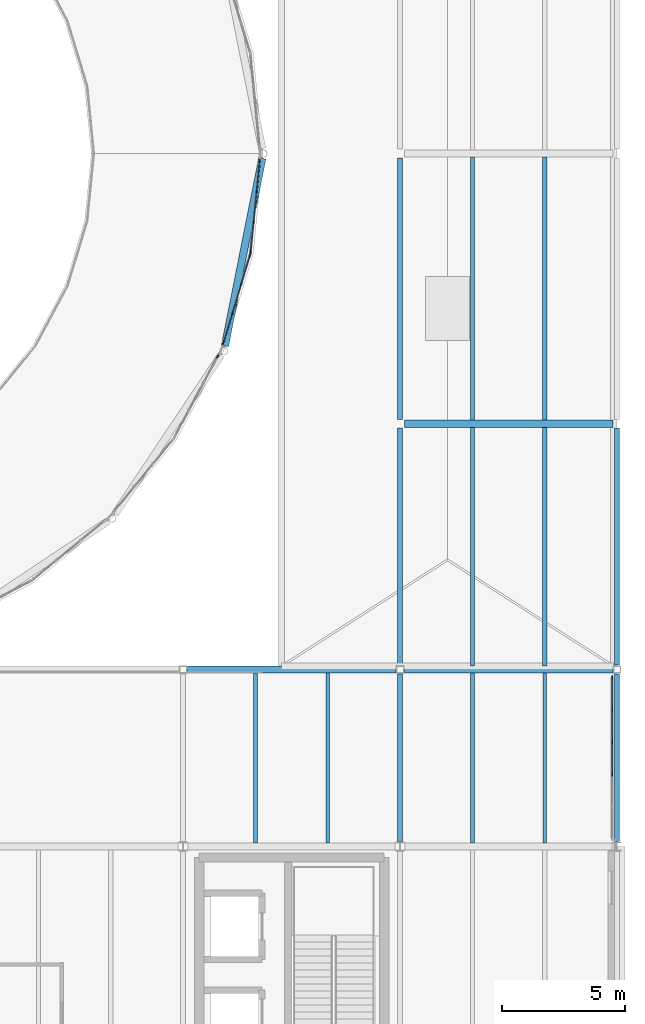
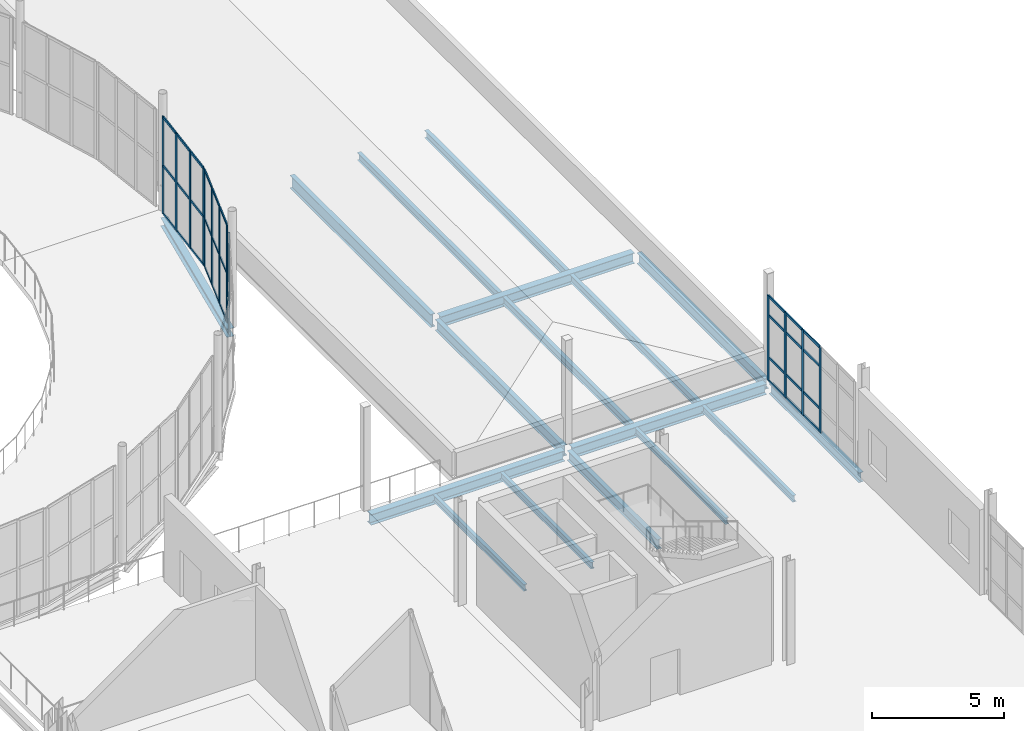
# One storey, part 64 of 112: 43 members, 17 beams, 4 elements without a shape of their own.
"""IFC4 building model written with IfcOpenShell, lengths in metres."""

from ifc_helpers import new_model, si_unit, direction, frame, origin, origin_2d, place, context, subcontext, project, spatial, rectangle, i_section, extrude, material, layer, layer_set, material_profile, profile_set, type_object, element, aggregate, save


model = new_model("IFC4")

# Units and contexts
model_context = context("Model", 3, precision=1e-05, world=origin(), true_north=direction((0.0, 1.0)))
body_context = subcontext(model_context, "Body", "Model", "MODEL_VIEW")
ifc_project = project(units=[si_unit("LENGTHUNIT", "METRE"), si_unit("AREAUNIT", "SQUARE_METRE"), si_unit("VOLUMEUNIT", "CUBIC_METRE"), si_unit("PLANEANGLEUNIT", "RADIAN"), si_unit("MASSUNIT", "GRAM", prefix="KILO")], contexts=[model_context])

# Site, building, storey
site_placement = place(None, origin())
site = spatial("IfcSite", under=ifc_project, at=site_placement, CompositionType="ELEMENT")
building_placement = place(site_placement, origin())
building = spatial("IfcBuilding", under=site, at=building_placement, Name="Yeouljin Market Hall", CompositionType="ELEMENT")
storey_placement = place(building_placement, frame((0.0, 0.0, 6.0)))
storey = spatial("IfcBuildingStorey", under=building, at=storey_placement, Name="L01", CompositionType="ELEMENT", Elevation=6.0)

# Beams
ifc_material_1 = material(Name="Steel SM355", Category="steel")
ifc_material_profile_1 = material_profile(ifc_material_1, i_section(OverallWidth=0.300048828125, OverallDepth=0.389892578125, WebThickness=0.010009765625, FlangeThickness=0.01611328125, FilletRadius=0.01806640625, at=origin_2d()), Name="H-390x300x10x16")
ifc_profile_set_1 = profile_set([ifc_material_profile_1], Name="Steel SM355")
beam_type_1 = type_object("IfcBeamType", Name="Beam_H-390x300x10x16", PredefinedType="BEAM", material=ifc_profile_set_1)
beam_1_placement = place(storey_placement, frame((160.441162109375, 49.162841796875, -0.43994140625), z_axis=(0.195091123781, 0.980785120922, 0.0), x_axis=(-0.980785120922, 0.195091123781, 0.0)))
element("IfcBeam", 1, at=beam_1_placement, inside=storey, type_object=beam_type_1, Name="Apse ring beam L01 253", PredefinedType="BEAM", context=body_context, shape_type="SweptSolid", body=[
    extrude(i_section(OverallWidth=0.300048828125, OverallDepth=0.389892578125, WebThickness=0.010009765625, FlangeThickness=0.01611328125, FilletRadius=0.01806640625, at=origin_2d()), origin(), (0.0, 0.0, 1.0), 7.78759765625),
])
ifc_material_2 = material(Name="Steel SM355", Category="steel")
ifc_material_profile_2 = material_profile(ifc_material_2, i_section(OverallWidth=0.199951171875, OverallDepth=0.449951171875, WebThickness=0.009033203125, FlangeThickness=0.013916015625, FilletRadius=0.01806640625, at=origin_2d()), Name="H-450x200x9x14")
ifc_profile_set_2 = profile_set([ifc_material_profile_2], Name="Steel SM355")
beam_type_2 = type_object("IfcBeamType", Name="Beam_H-450x200x9x14", PredefinedType="BEAM", material=ifc_profile_set_2)
for number, where, z_axis, x_axis, name in (
    (2, (167.570068359375, 29.0, -0.489990234375), (0.0, 1.0, 0.0), (-1.0, 0.0, 0.0), "Primary beam BM-L01-Y229"),
    (3, (176.39990234375, 29.0, -0.489990234375), (0.0, 1.0, 0.0), (-1.0, 0.0, 0.0), "Primary beam BM-L01-Y237"),
):
    element("IfcBeam", number, at=place(storey_placement, frame(where, z_axis=z_axis, x_axis=x_axis)), inside=storey, type_object=beam_type_2, Name=name, PredefinedType="BEAM", context=body_context, shape_type="SweptSolid", body=[
        extrude(i_section(OverallWidth=0.199951171875, OverallDepth=0.449951171875, WebThickness=0.009033203125, FlangeThickness=0.013916015625, FilletRadius=0.01806640625, at=origin_2d()), origin(), (0.0, 0.0, 1.0), 6.824951171875),
    ])
ifc_material_3 = material(Name="Steel SM355", Category="steel")
ifc_material_profile_3 = material_profile(ifc_material_3, i_section(OverallWidth=0.199951171875, OverallDepth=0.5, WebThickness=0.010009765625, FlangeThickness=0.01611328125, FilletRadius=0.02001953125, at=origin_2d()), Name="H-500x200x10x16")
ifc_profile_set_3 = profile_set([ifc_material_profile_3], Name="Steel SM355")
beam_type_3 = type_object("IfcBeamType", Name="Beam_H-500x200x10x16", PredefinedType="BEAM", material=ifc_profile_set_3)
for number, where, z_axis, x_axis, name in (
    (4, (167.570068359375, 36.175048828125, -0.514892578125), (0.0, 1.0, 0.0), (-1.0, 0.0, 0.0), "Primary beam BM-L01-Y230"),
    (5, (176.39990234375, 36.175048828125, -0.514892578125), (0.0, 1.0, 0.0), (-1.0, 0.0, 0.0), "Primary beam BM-L01-Y238"),
):
    element("IfcBeam", number, at=place(storey_placement, frame(where, z_axis=z_axis, x_axis=x_axis)), inside=storey, type_object=beam_type_3, Name=name, PredefinedType="BEAM", context=body_context, shape_type="SweptSolid", body=[
        extrude(i_section(OverallWidth=0.199951171875, OverallDepth=0.5, WebThickness=0.010009765625, FlangeThickness=0.01611328125, FilletRadius=0.02001953125, at=origin_2d()), origin(), (0.0, 0.0, 1.0), 9.64990234375),
    ])
ifc_material_4 = material(Name="Steel SM355", Category="steel")
ifc_material_profile_4 = material_profile(ifc_material_4, i_section(OverallWidth=0.199951171875, OverallDepth=0.60009765625, WebThickness=0.010986328125, FlangeThickness=0.01708984375, FilletRadius=0.02197265625, at=origin_2d()), Name="H-600x200x11x17")
ifc_profile_set_4 = profile_set([ifc_material_profile_4], Name="Steel SM355")
beam_type_4 = type_object("IfcBeamType", Name="Beam_H-600x200x11x17", PredefinedType="BEAM", material=ifc_profile_set_4)
beam_2_placement = place(storey_placement, frame((167.570068359375, 46.175048828125, -0.56494140625), z_axis=(0.0, 1.0, 0.0), x_axis=(-1.0, 0.0, 0.0)))
element("IfcBeam", 6, at=beam_2_placement, inside=storey, type_object=beam_type_4, Name="Primary beam BM-L01-Y231", PredefinedType="BEAM", context=body_context, shape_type="SweptSolid", body=[
    extrude(i_section(OverallWidth=0.199951171875, OverallDepth=0.60009765625, WebThickness=0.010986328125, FlangeThickness=0.01708984375, FilletRadius=0.02197265625, at=origin_2d()), origin(), (0.0, 0.0, 1.0), 10.64990234375),
])

# Curtain wall, member
ifc_material_5 = material(Name="Thermally Broken Aluminium", Category="aluminium")
ifc_layer_1 = layer(ifc_material_5, 0.179931640625)
ifc_layer_set_1 = layer_set([ifc_layer_1], Name="Thermally Broken Aluminium")
curtain_wall_type_1 = type_object("IfcCurtainWallType", Name="CW_ApseCurved_System", PredefinedType="USERDEFINED", material=ifc_layer_set_1)
curtain_wall_1_placement = place(storey_placement, origin())
curtain_wall_1 = element("IfcCurtainWall", 7, at=curtain_wall_1_placement, inside=storey, type_object=curtain_wall_type_1, Name="Curtain wall CW-AP-EL01-06", ObjectType="CURTAIN WALL", PredefinedType="USERDEFINED")
ifc_material_6 = material(Name="Thermally Broken Aluminium", Category="aluminium")
ifc_material_profile_5 = material_profile(ifc_material_6, rectangle(XDim=0.048095703125, YDim=0.14990234375, at=origin_2d()), Name="CW-MULL-48x150")
ifc_profile_set_5 = profile_set([ifc_material_profile_5], Name="Thermally Broken Aluminium")
member_type_1 = type_object("IfcMemberType", Name="CWMullion_48x150", PredefinedType="MULLION", material=ifc_profile_set_5)
member_1_placement = place(storey_placement, frame((160.147216796875, 48.741455078125, 0.0), z_axis=(0.0, 0.0, 1.0), x_axis=(0.881931478712, -0.471377626598, 0.0)))
member_1 = element("IfcMember", 8, at=member_1_placement, type_object=member_type_1, Name="CW-03 mullion 1", PredefinedType="MULLION", context=body_context, shape_type="SweptSolid", body=[
    extrude(rectangle(XDim=0.048095703125, YDim=0.14990234375, at=origin_2d()), origin(), (0.0, 0.0, 1.0), 4.5),
])
aggregate(curtain_wall_1, [member_1])

# Curtain wall, members
curtain_wall_2_placement = place(storey_placement, origin())
curtain_wall_2 = element("IfcCurtainWall", 9, at=curtain_wall_2_placement, inside=storey, type_object=curtain_wall_type_1, Name="Curtain wall CW-AP-EL01-07", ObjectType="CURTAIN WALL", PredefinedType="USERDEFINED")
member_2_placement = place(storey_placement, frame((161.460205078125, 52.865234375, 0.0), z_axis=(0.0, 0.0, 1.0), x_axis=(0.95693988447, -0.290286164863, 0.0)))
member_2 = element("IfcMember", 10, at=member_2_placement, type_object=member_type_1, Name="CW-03 mullion 1", PredefinedType="MULLION", context=body_context, shape_type="SweptSolid", body=[
    extrude(rectangle(XDim=0.048095703125, YDim=0.14990234375, at=origin_2d()), origin(), (0.0, 0.0, 1.0), 4.5),
])
member_3_placement = place(storey_placement, frame((161.10205078125, 51.6845703125, 0.0), z_axis=(0.0, 0.0, 1.0), x_axis=(0.95693988447, -0.290286164863, 0.0)))
member_3 = element("IfcMember", 11, at=member_3_placement, type_object=member_type_1, Name="CW-03 mullion 2", PredefinedType="MULLION", context=body_context, shape_type="SweptSolid", body=[
    extrude(rectangle(XDim=0.048095703125, YDim=0.14990234375, at=origin_2d()), origin(), (0.0, 0.0, 1.0), 4.5),
])
member_4_placement = place(storey_placement, frame((160.737060546875, 50.48095703125, 0.0), z_axis=(0.0, 0.0, 1.0), x_axis=(0.95693988447, -0.290286164863, 0.0)))
member_4 = element("IfcMember", 12, at=member_4_placement, type_object=member_type_1, Name="CW-03 mullion 3", PredefinedType="MULLION", context=body_context, shape_type="SweptSolid", body=[
    extrude(rectangle(XDim=0.048095703125, YDim=0.14990234375, at=origin_2d()), origin(), (0.0, 0.0, 1.0), 4.5),
])
member_5_placement = place(storey_placement, frame((160.37890625, 49.300537109375, 0.0), z_axis=(0.0, 0.0, 1.0), x_axis=(0.95693988447, -0.290286164863, 0.0)))
member_5 = element("IfcMember", 13, at=member_5_placement, type_object=member_type_1, Name="CW-03 mullion 4", PredefinedType="MULLION", context=body_context, shape_type="SweptSolid", body=[
    extrude(rectangle(XDim=0.048095703125, YDim=0.14990234375, at=origin_2d()), origin(), (0.0, 0.0, 1.0), 4.5),
])

curtain_wall_3_placement = place(storey_placement, origin())
curtain_wall_3 = element("IfcCurtainWall", 14, at=curtain_wall_3_placement, inside=storey, type_object=curtain_wall_type_1, Name="Curtain wall CW-AP-EL01-08", ObjectType="CURTAIN WALL", PredefinedType="USERDEFINED")
member_6_placement = place(storey_placement, frame((161.850341796875, 56.697509765625, 0.0), z_axis=(0.0, 0.0, 1.0), x_axis=(0.995183051807, -0.09803414403, 0.0)))
member_6 = element("IfcMember", 15, at=member_6_placement, type_object=member_type_1, Name="CW-03 mullion 1", PredefinedType="MULLION", context=body_context, shape_type="SweptSolid", body=[
    extrude(rectangle(XDim=0.048095703125, YDim=0.14990234375, at=origin_2d()), origin(), (0.0, 0.0, 1.0), 4.5),
])
member_7_placement = place(storey_placement, frame((161.729248046875, 55.4697265625, 0.0), z_axis=(0.0, 0.0, 1.0), x_axis=(0.995183051807, -0.09803414403, 0.0)))
member_7 = element("IfcMember", 16, at=member_7_placement, type_object=member_type_1, Name="CW-03 mullion 2", PredefinedType="MULLION", context=body_context, shape_type="SweptSolid", body=[
    extrude(rectangle(XDim=0.048095703125, YDim=0.14990234375, at=origin_2d()), origin(), (0.0, 0.0, 1.0), 4.5),
])
member_8_placement = place(storey_placement, frame((161.60595703125, 54.218017578125, 0.0), z_axis=(0.0, 0.0, 1.0), x_axis=(0.995183051807, -0.09803414403, 0.0)))
member_8 = element("IfcMember", 17, at=member_8_placement, type_object=member_type_1, Name="CW-03 mullion 3", PredefinedType="MULLION", context=body_context, shape_type="SweptSolid", body=[
    extrude(rectangle(XDim=0.048095703125, YDim=0.14990234375, at=origin_2d()), origin(), (0.0, 0.0, 1.0), 4.5),
])
member_9_placement = place(storey_placement, frame((161.485107421875, 52.990234375, 0.0), z_axis=(0.0, 0.0, 1.0), x_axis=(0.995183051807, -0.09803414403, 0.0)))
member_9 = element("IfcMember", 18, at=member_9_placement, type_object=member_type_1, Name="CW-03 mullion 4", PredefinedType="MULLION", context=body_context, shape_type="SweptSolid", body=[
    extrude(rectangle(XDim=0.048095703125, YDim=0.14990234375, at=origin_2d()), origin(), (0.0, 0.0, 1.0), 4.5),
])

ifc_material_7 = material(Name="Thermally Broken Aluminium", Category="aluminium")
ifc_layer_2 = layer(ifc_material_7, 0.14990234375)
ifc_layer_set_2 = layer_set([ifc_layer_2], Name="Thermally Broken Aluminium")
curtain_wall_type_2 = type_object("IfcCurtainWallType", Name="CW_AcademyRibbon_System", PredefinedType="USERDEFINED", material=ifc_layer_set_2)
curtain_wall_4_placement = place(storey_placement, origin())
curtain_wall_4 = element("IfcCurtainWall", 19, at=curtain_wall_4_placement, inside=storey, type_object=curtain_wall_type_2, Name="Curtain wall CW-L01-W13", ObjectType="CURTAIN WALL", PredefinedType="USERDEFINED")
member_10_placement = place(storey_placement, frame((176.199951171875, 35.676025390625, 0.0), z_axis=(0.0, 0.0, 1.0), x_axis=(1.0, 0.0, 0.0)))
member_10 = element("IfcMember", 20, at=member_10_placement, type_object=member_type_1, Name="CW-05 mullion 1", PredefinedType="MULLION", context=body_context, shape_type="SweptSolid", body=[
    extrude(rectangle(XDim=0.048095703125, YDim=0.14990234375, at=origin_2d()), origin(), (0.0, 0.0, 1.0), 3.949951171875),
])
member_11_placement = place(storey_placement, frame((176.199951171875, 34.3798828125, 0.0), z_axis=(0.0, 0.0, 1.0), x_axis=(1.0, 0.0, 0.0)))
member_11 = element("IfcMember", 21, at=member_11_placement, type_object=member_type_1, Name="CW-05 mullion 2", PredefinedType="MULLION", context=body_context, shape_type="SweptSolid", body=[
    extrude(rectangle(XDim=0.048095703125, YDim=0.14990234375, at=origin_2d()), origin(), (0.0, 0.0, 1.0), 3.949951171875),
])
member_12_placement = place(storey_placement, frame((176.199951171875, 33.06005859375, 0.0), z_axis=(0.0, 0.0, 1.0), x_axis=(1.0, 0.0, 0.0)))
member_12 = element("IfcMember", 22, at=member_12_placement, type_object=member_type_1, Name="CW-05 mullion 3", PredefinedType="MULLION", context=body_context, shape_type="SweptSolid", body=[
    extrude(rectangle(XDim=0.048095703125, YDim=0.14990234375, at=origin_2d()), origin(), (0.0, 0.0, 1.0), 3.949951171875),
])
member_13_placement = place(storey_placement, frame((176.199951171875, 31.739990234375, 0.0), z_axis=(0.0, 0.0, 1.0), x_axis=(1.0, 0.0, 0.0)))
member_13 = element("IfcMember", 23, at=member_13_placement, type_object=member_type_1, Name="CW-05 mullion 4", PredefinedType="MULLION", context=body_context, shape_type="SweptSolid", body=[
    extrude(rectangle(XDim=0.048095703125, YDim=0.14990234375, at=origin_2d()), origin(), (0.0, 0.0, 1.0), 3.949951171875),
])

# Member
ifc_material_8 = material(Name="Thermally Broken Aluminium", Category="aluminium")
ifc_material_profile_6 = material_profile(ifc_material_8, rectangle(XDim=0.048095703125, YDim=0.1201171875, at=origin_2d()), Name="CW-TRAN-48x120")
ifc_profile_set_6 = profile_set([ifc_material_profile_6], Name="Thermally Broken Aluminium")
member_type_2 = type_object("IfcMemberType", Name="CWTransom_48x120", PredefinedType="USERDEFINED", material=ifc_profile_set_6)
member_14_placement = place(storey_placement, frame((161.453369140625, 52.84228515625, 0.02392578125), z_axis=(-0.290293088565, -0.956937784149, 0.0), x_axis=(0.956937784149, -0.290293088565, 0.0)))
member_14 = element("IfcMember", 24, at=member_14_placement, type_object=member_type_2, Name="CW-03 transom 1.1", ObjectType="TRANSOM", PredefinedType="USERDEFINED", context=body_context, shape_type="SweptSolid", body=[
    extrude(rectangle(XDim=0.048095703125, YDim=0.1201171875, at=origin_2d()), origin(), (0.0, 0.0, 1.0), 1.185791015625),
])

member_15_placement = place(storey_placement, frame((161.453369140625, 52.84228515625, 2.25), z_axis=(-0.290293088565, -0.956937784149, 0.0), x_axis=(0.956937784149, -0.290293088565, 0.0)))
member_15 = element("IfcMember", 25, at=member_15_placement, type_object=member_type_2, Name="CW-03 transom 1.2", ObjectType="TRANSOM", PredefinedType="USERDEFINED", context=body_context, shape_type="SweptSolid", body=[
    extrude(rectangle(XDim=0.048095703125, YDim=0.1201171875, at=origin_2d()), origin(), (0.0, 0.0, 1.0), 1.185791015625),
])

member_16_placement = place(storey_placement, frame((161.453369140625, 52.84228515625, 4.47607421875), z_axis=(-0.290293088565, -0.956937784149, 0.0), x_axis=(0.956937784149, -0.290293088565, 0.0)))
member_16 = element("IfcMember", 26, at=member_16_placement, type_object=member_type_2, Name="CW-03 transom 1.3", ObjectType="TRANSOM", PredefinedType="USERDEFINED", context=body_context, shape_type="SweptSolid", body=[
    extrude(rectangle(XDim=0.048095703125, YDim=0.1201171875, at=origin_2d()), origin(), (0.0, 0.0, 1.0), 1.185791015625),
])

member_17_placement = place(storey_placement, frame((161.09521484375, 51.66162109375, 0.02392578125), z_axis=(-0.29043870262, -0.956893599111, 0.0), x_axis=(0.956893599111, -0.29043870262, 0.0)))
member_17 = element("IfcMember", 27, at=member_17_placement, type_object=member_type_2, Name="CW-03 transom 2.1", ObjectType="TRANSOM", PredefinedType="USERDEFINED", context=body_context, shape_type="SweptSolid", body=[
    extrude(rectangle(XDim=0.048095703125, YDim=0.1201171875, at=origin_2d()), origin(), (0.0, 0.0, 1.0), 1.209716796875),
])

member_18_placement = place(storey_placement, frame((161.09521484375, 51.66162109375, 2.25), z_axis=(-0.29043870262, -0.956893599111, 0.0), x_axis=(0.956893599111, -0.29043870262, 0.0)))
member_18 = element("IfcMember", 28, at=member_18_placement, type_object=member_type_2, Name="CW-03 transom 2.2", ObjectType="TRANSOM", PredefinedType="USERDEFINED", context=body_context, shape_type="SweptSolid", body=[
    extrude(rectangle(XDim=0.048095703125, YDim=0.1201171875, at=origin_2d()), origin(), (0.0, 0.0, 1.0), 1.209716796875),
])

member_19_placement = place(storey_placement, frame((161.09521484375, 51.66162109375, 4.47607421875), z_axis=(-0.29043870262, -0.956893599111, 0.0), x_axis=(0.956893599111, -0.29043870262, 0.0)))
member_19 = element("IfcMember", 29, at=member_19_placement, type_object=member_type_2, Name="CW-03 transom 2.3", ObjectType="TRANSOM", PredefinedType="USERDEFINED", context=body_context, shape_type="SweptSolid", body=[
    extrude(rectangle(XDim=0.048095703125, YDim=0.1201171875, at=origin_2d()), origin(), (0.0, 0.0, 1.0), 1.209716796875),
])

member_20_placement = place(storey_placement, frame((160.72998046875, 50.4580078125, 0.02392578125), z_axis=(-0.290350291671, -0.95692042936, 0.0), x_axis=(0.95692042936, -0.290350291671, 0.0)))
member_20 = element("IfcMember", 30, at=member_20_placement, type_object=member_type_2, Name="CW-03 transom 3.1", ObjectType="TRANSOM", PredefinedType="USERDEFINED", context=body_context, shape_type="SweptSolid", body=[
    extrude(rectangle(XDim=0.048095703125, YDim=0.1201171875, at=origin_2d()), origin(), (0.0, 0.0, 1.0), 1.185546875),
])

member_21_placement = place(storey_placement, frame((160.72998046875, 50.4580078125, 2.25), z_axis=(-0.290350291671, -0.95692042936, 0.0), x_axis=(0.95692042936, -0.290350291671, 0.0)))
member_21 = element("IfcMember", 31, at=member_21_placement, type_object=member_type_2, Name="CW-03 transom 3.2", ObjectType="TRANSOM", PredefinedType="USERDEFINED", context=body_context, shape_type="SweptSolid", body=[
    extrude(rectangle(XDim=0.048095703125, YDim=0.1201171875, at=origin_2d()), origin(), (0.0, 0.0, 1.0), 1.185546875),
])

member_22_placement = place(storey_placement, frame((160.72998046875, 50.4580078125, 4.47607421875), z_axis=(-0.290350291671, -0.95692042936, 0.0), x_axis=(0.95692042936, -0.290350291671, 0.0)))
member_22 = element("IfcMember", 32, at=member_22_placement, type_object=member_type_2, Name="CW-03 transom 3.3", ObjectType="TRANSOM", PredefinedType="USERDEFINED", context=body_context, shape_type="SweptSolid", body=[
    extrude(rectangle(XDim=0.048095703125, YDim=0.1201171875, at=origin_2d()), origin(), (0.0, 0.0, 1.0), 1.185546875),
])

aggregate(curtain_wall_2, [member_2, member_3, member_4, member_5, member_14, member_15, member_16, member_17, member_18, member_19, member_20, member_21, member_22])

member_23_placement = place(storey_placement, frame((161.847900390625, 56.673583984375, 0.02392578125), z_axis=(-0.097995233106, -0.995186884102, 0.0), x_axis=(0.995186884102, -0.097995233106, 0.0)))
member_23 = element("IfcMember", 33, at=member_23_placement, type_object=member_type_2, Name="CW-03 transom 1.1", ObjectType="TRANSOM", PredefinedType="USERDEFINED", context=body_context, shape_type="SweptSolid", body=[
    extrude(rectangle(XDim=0.048095703125, YDim=0.1201171875, at=origin_2d()), origin(), (0.0, 0.0, 1.0), 1.185791015625),
])

member_24_placement = place(storey_placement, frame((161.847900390625, 56.673583984375, 2.25), z_axis=(-0.097995233106, -0.995186884102, 0.0), x_axis=(0.995186884102, -0.097995233106, 0.0)))
member_24 = element("IfcMember", 34, at=member_24_placement, type_object=member_type_2, Name="CW-03 transom 1.2", ObjectType="TRANSOM", PredefinedType="USERDEFINED", context=body_context, shape_type="SweptSolid", body=[
    extrude(rectangle(XDim=0.048095703125, YDim=0.1201171875, at=origin_2d()), origin(), (0.0, 0.0, 1.0), 1.185791015625),
])

member_25_placement = place(storey_placement, frame((161.847900390625, 56.673583984375, 4.47607421875), z_axis=(-0.097995233106, -0.995186884102, 0.0), x_axis=(0.995186884102, -0.097995233106, 0.0)))
member_25 = element("IfcMember", 35, at=member_25_placement, type_object=member_type_2, Name="CW-03 transom 1.3", ObjectType="TRANSOM", PredefinedType="USERDEFINED", context=body_context, shape_type="SweptSolid", body=[
    extrude(rectangle(XDim=0.048095703125, YDim=0.1201171875, at=origin_2d()), origin(), (0.0, 0.0, 1.0), 1.185791015625),
])

member_26_placement = place(storey_placement, frame((161.72705078125, 55.44580078125, 0.02392578125), z_axis=(-0.098084878045, -0.995178052762, 0.0), x_axis=(0.995178052762, -0.098084878045, 0.0)))
member_26 = element("IfcMember", 36, at=member_26_placement, type_object=member_type_2, Name="CW-03 transom 2.1", ObjectType="TRANSOM", PredefinedType="USERDEFINED", context=body_context, shape_type="SweptSolid", body=[
    extrude(rectangle(XDim=0.048095703125, YDim=0.1201171875, at=origin_2d()), origin(), (0.0, 0.0, 1.0), 1.209716796875),
])

member_27_placement = place(storey_placement, frame((161.72705078125, 55.44580078125, 2.25), z_axis=(-0.098084878045, -0.995178052762, 0.0), x_axis=(0.995178052762, -0.098084878045, 0.0)))
member_27 = element("IfcMember", 37, at=member_27_placement, type_object=member_type_2, Name="CW-03 transom 2.2", ObjectType="TRANSOM", PredefinedType="USERDEFINED", context=body_context, shape_type="SweptSolid", body=[
    extrude(rectangle(XDim=0.048095703125, YDim=0.1201171875, at=origin_2d()), origin(), (0.0, 0.0, 1.0), 1.209716796875),
])

member_28_placement = place(storey_placement, frame((161.72705078125, 55.44580078125, 4.47607421875), z_axis=(-0.098084878045, -0.995178052762, 0.0), x_axis=(0.995178052762, -0.098084878045, 0.0)))
member_28 = element("IfcMember", 38, at=member_28_placement, type_object=member_type_2, Name="CW-03 transom 2.3", ObjectType="TRANSOM", PredefinedType="USERDEFINED", context=body_context, shape_type="SweptSolid", body=[
    extrude(rectangle(XDim=0.048095703125, YDim=0.1201171875, at=origin_2d()), origin(), (0.0, 0.0, 1.0), 1.209716796875),
])

member_29_placement = place(storey_placement, frame((161.603759765625, 54.194091796875, 0.02392578125), z_axis=(-0.098219244733, -0.995164800405, 0.0), x_axis=(0.995164800405, -0.098219244733, 0.0)))
member_29 = element("IfcMember", 39, at=member_29_placement, type_object=member_type_2, Name="CW-03 transom 3.1", ObjectType="TRANSOM", PredefinedType="USERDEFINED", context=body_context, shape_type="SweptSolid", body=[
    extrude(rectangle(XDim=0.048095703125, YDim=0.1201171875, at=origin_2d()), origin(), (0.0, 0.0, 1.0), 1.185546875),
])

member_30_placement = place(storey_placement, frame((161.603759765625, 54.194091796875, 2.25), z_axis=(-0.098219244733, -0.995164800405, 0.0), x_axis=(0.995164800405, -0.098219244733, 0.0)))
member_30 = element("IfcMember", 40, at=member_30_placement, type_object=member_type_2, Name="CW-03 transom 3.2", ObjectType="TRANSOM", PredefinedType="USERDEFINED", context=body_context, shape_type="SweptSolid", body=[
    extrude(rectangle(XDim=0.048095703125, YDim=0.1201171875, at=origin_2d()), origin(), (0.0, 0.0, 1.0), 1.185546875),
])

member_31_placement = place(storey_placement, frame((161.603759765625, 54.194091796875, 4.47607421875), z_axis=(-0.098219244733, -0.995164800405, 0.0), x_axis=(0.995164800405, -0.098219244733, 0.0)))
member_31 = element("IfcMember", 41, at=member_31_placement, type_object=member_type_2, Name="CW-03 transom 3.3", ObjectType="TRANSOM", PredefinedType="USERDEFINED", context=body_context, shape_type="SweptSolid", body=[
    extrude(rectangle(XDim=0.048095703125, YDim=0.1201171875, at=origin_2d()), origin(), (0.0, 0.0, 1.0), 1.185546875),
])

aggregate(curtain_wall_3, [member_6, member_7, member_8, member_9, member_23, member_24, member_25, member_26, member_27, member_28, member_29, member_30, member_31])

member_32_placement = place(storey_placement, frame((176.199951171875, 35.652099609375, 0.02392578125), z_axis=(0.0, -1.0, 0.0), x_axis=(1.0, 0.0, 0.0)))
member_32 = element("IfcMember", 42, at=member_32_placement, type_object=member_type_2, Name="CW-05 transom 1.1", ObjectType="TRANSOM", PredefinedType="USERDEFINED", context=body_context, shape_type="SweptSolid", body=[
    extrude(rectangle(XDim=0.048095703125, YDim=0.1201171875, at=origin_2d()), origin(), (0.0, 0.0, 1.0), 1.248046875),
])

member_33_placement = place(storey_placement, frame((176.199951171875, 35.652099609375, 1.10009765625), z_axis=(0.0, -1.0, 0.0), x_axis=(1.0, 0.0, 0.0)))
member_33 = element("IfcMember", 43, at=member_33_placement, type_object=member_type_2, Name="CW-05 transom 1.2", ObjectType="TRANSOM", PredefinedType="USERDEFINED", context=body_context, shape_type="SweptSolid", body=[
    extrude(rectangle(XDim=0.048095703125, YDim=0.1201171875, at=origin_2d()), origin(), (0.0, 0.0, 1.0), 1.248046875),
])

member_34_placement = place(storey_placement, frame((176.199951171875, 35.652099609375, 3.050048828125), z_axis=(0.0, -1.0, 0.0), x_axis=(1.0, 0.0, 0.0)))
member_34 = element("IfcMember", 44, at=member_34_placement, type_object=member_type_2, Name="CW-05 transom 1.3", ObjectType="TRANSOM", PredefinedType="USERDEFINED", context=body_context, shape_type="SweptSolid", body=[
    extrude(rectangle(XDim=0.048095703125, YDim=0.1201171875, at=origin_2d()), origin(), (0.0, 0.0, 1.0), 1.248046875),
])

member_35_placement = place(storey_placement, frame((176.199951171875, 35.652099609375, 3.926025390625), z_axis=(0.0, -1.0, 0.0), x_axis=(1.0, 0.0, 0.0)))
member_35 = element("IfcMember", 45, at=member_35_placement, type_object=member_type_2, Name="CW-05 transom 1.4", ObjectType="TRANSOM", PredefinedType="USERDEFINED", context=body_context, shape_type="SweptSolid", body=[
    extrude(rectangle(XDim=0.048095703125, YDim=0.1201171875, at=origin_2d()), origin(), (0.0, 0.0, 1.0), 1.248046875),
])

member_36_placement = place(storey_placement, frame((176.199951171875, 34.35595703125, 0.02392578125), z_axis=(0.0, -1.0, 0.0), x_axis=(1.0, 0.0, 0.0)))
member_36 = element("IfcMember", 46, at=member_36_placement, type_object=member_type_2, Name="CW-05 transom 2.1", ObjectType="TRANSOM", PredefinedType="USERDEFINED", context=body_context, shape_type="SweptSolid", body=[
    extrude(rectangle(XDim=0.048095703125, YDim=0.1201171875, at=origin_2d()), origin(), (0.0, 0.0, 1.0), 1.27197265625),
])

member_37_placement = place(storey_placement, frame((176.199951171875, 34.35595703125, 1.10009765625), z_axis=(0.0, -1.0, 0.0), x_axis=(1.0, 0.0, 0.0)))
member_37 = element("IfcMember", 47, at=member_37_placement, type_object=member_type_2, Name="CW-05 transom 2.2", ObjectType="TRANSOM", PredefinedType="USERDEFINED", context=body_context, shape_type="SweptSolid", body=[
    extrude(rectangle(XDim=0.048095703125, YDim=0.1201171875, at=origin_2d()), origin(), (0.0, 0.0, 1.0), 1.27197265625),
])

member_38_placement = place(storey_placement, frame((176.199951171875, 34.35595703125, 3.050048828125), z_axis=(0.0, -1.0, 0.0), x_axis=(1.0, 0.0, 0.0)))
member_38 = element("IfcMember", 48, at=member_38_placement, type_object=member_type_2, Name="CW-05 transom 2.3", ObjectType="TRANSOM", PredefinedType="USERDEFINED", context=body_context, shape_type="SweptSolid", body=[
    extrude(rectangle(XDim=0.048095703125, YDim=0.1201171875, at=origin_2d()), origin(), (0.0, 0.0, 1.0), 1.27197265625),
])

member_39_placement = place(storey_placement, frame((176.199951171875, 34.35595703125, 3.926025390625), z_axis=(0.0, -1.0, 0.0), x_axis=(1.0, 0.0, 0.0)))
member_39 = element("IfcMember", 49, at=member_39_placement, type_object=member_type_2, Name="CW-05 transom 2.4", ObjectType="TRANSOM", PredefinedType="USERDEFINED", context=body_context, shape_type="SweptSolid", body=[
    extrude(rectangle(XDim=0.048095703125, YDim=0.1201171875, at=origin_2d()), origin(), (0.0, 0.0, 1.0), 1.27197265625),
])

member_40_placement = place(storey_placement, frame((176.199951171875, 33.035888671875, 0.02392578125), z_axis=(0.0, -1.0, 0.0), x_axis=(1.0, 0.0, 0.0)))
member_40 = element("IfcMember", 50, at=member_40_placement, type_object=member_type_2, Name="CW-05 transom 3.1", ObjectType="TRANSOM", PredefinedType="USERDEFINED", context=body_context, shape_type="SweptSolid", body=[
    extrude(rectangle(XDim=0.048095703125, YDim=0.1201171875, at=origin_2d()), origin(), (0.0, 0.0, 1.0), 1.27197265625),
])

member_41_placement = place(storey_placement, frame((176.199951171875, 33.035888671875, 1.10009765625), z_axis=(0.0, -1.0, 0.0), x_axis=(1.0, 0.0, 0.0)))
member_41 = element("IfcMember", 51, at=member_41_placement, type_object=member_type_2, Name="CW-05 transom 3.2", ObjectType="TRANSOM", PredefinedType="USERDEFINED", context=body_context, shape_type="SweptSolid", body=[
    extrude(rectangle(XDim=0.048095703125, YDim=0.1201171875, at=origin_2d()), origin(), (0.0, 0.0, 1.0), 1.27197265625),
])

member_42_placement = place(storey_placement, frame((176.199951171875, 33.035888671875, 3.050048828125), z_axis=(0.0, -1.0, 0.0), x_axis=(1.0, 0.0, 0.0)))
member_42 = element("IfcMember", 52, at=member_42_placement, type_object=member_type_2, Name="CW-05 transom 3.3", ObjectType="TRANSOM", PredefinedType="USERDEFINED", context=body_context, shape_type="SweptSolid", body=[
    extrude(rectangle(XDim=0.048095703125, YDim=0.1201171875, at=origin_2d()), origin(), (0.0, 0.0, 1.0), 1.27197265625),
])

member_43_placement = place(storey_placement, frame((176.199951171875, 33.035888671875, 3.926025390625), z_axis=(0.0, -1.0, 0.0), x_axis=(1.0, 0.0, 0.0)))
member_43 = element("IfcMember", 53, at=member_43_placement, type_object=member_type_2, Name="CW-05 transom 3.4", ObjectType="TRANSOM", PredefinedType="USERDEFINED", context=body_context, shape_type="SweptSolid", body=[
    extrude(rectangle(XDim=0.048095703125, YDim=0.1201171875, at=origin_2d()), origin(), (0.0, 0.0, 1.0), 1.27197265625),
])

aggregate(curtain_wall_4, [member_10, member_11, member_12, member_13, member_32, member_33, member_34, member_35, member_36, member_37, member_38, member_39, member_40, member_41, member_42, member_43])

# Beams
ifc_material_9 = material(Name="Steel SM355", Category="steel")
ifc_material_profile_7 = material_profile(ifc_material_9, i_section(OverallWidth=0.300048828125, OverallDepth=0.488037109375, WebThickness=0.010986328125, FlangeThickness=0.01806640625, FilletRadius=0.02197265625, at=origin_2d()), Name="H-488x300x11x18")
ifc_profile_set_7 = profile_set([ifc_material_profile_7], Name="Steel SM355")
beam_type_5 = type_object("IfcBeamType", Name="Girder_H-488x300x11x18", PredefinedType="USERDEFINED", material=ifc_profile_set_7)
for number, where, z_axis, x_axis, name in (
    (54, (158.9150390625, 36.0, -0.509033203125), (1.0, 0.0, 0.0), (0.0, 1.0, 0.0), "Primary girder GRD-L01-X060"),
    (55, (167.7451171875, 36.0, -0.509033203125), (1.0, 0.0, 0.0), (0.0, 1.0, 0.0), "Primary girder GRD-L01-X061"),
    (56, (167.7451171875, 46.0, -0.509033203125), (1.0, 0.0, 0.0), (0.0, 1.0, 0.0), "Primary girder GRD-L01-X069"),
):
    element("IfcBeam", number, at=place(storey_placement, frame(where, z_axis=z_axis, x_axis=x_axis)), inside=storey, type_object=beam_type_5, Name=name, ObjectType="GIRDER", PredefinedType="USERDEFINED", context=body_context, shape_type="SweptSolid", body=[
        extrude(i_section(OverallWidth=0.300048828125, OverallDepth=0.488037109375, WebThickness=0.010986328125, FlangeThickness=0.01806640625, FilletRadius=0.02197265625, at=origin_2d()), origin(), (0.0, 0.0, 1.0), 8.47998046875),
    ])
ifc_material_10 = material(Name="Steel SM355", Category="steel")
ifc_material_profile_8 = material_profile(ifc_material_10, i_section(OverallWidth=0.14990234375, OverallDepth=0.300048828125, WebThickness=0.006591796875, FlangeThickness=0.009033203125, FilletRadius=0.012939453125, at=origin_2d()), Name="H-300x150x6.5x9")
ifc_profile_set_8 = profile_set([ifc_material_profile_8], Name="Steel SM355")
beam_type_6 = type_object("IfcBeamType", Name="Joist_H-300x150x6.5x9", PredefinedType="JOIST", material=ifc_profile_set_8)
for number, where, z_axis, x_axis, name in (
    (57, (161.683349609375, 28.947021484375, -0.4150390625), (0.0, 1.0, 0.0), (-1.0, 0.0, 0.0), "Secondary floor joist L01-116"),
    (58, (164.626708984375, 28.947021484375, -0.4150390625), (0.0, 1.0, 0.0), (-1.0, 0.0, 0.0), "Secondary floor joist L01-117"),
    (59, (170.51318359375, 28.947021484375, -0.4150390625), (0.0, 1.0, 0.0), (-1.0, 0.0, 0.0), "Secondary floor joist L01-123"),
    (60, (173.456787109375, 28.947021484375, -0.4150390625), (0.0, 1.0, 0.0), (-1.0, 0.0, 0.0), "Secondary floor joist L01-124"),
):
    element("IfcBeam", number, at=place(storey_placement, frame(where, z_axis=z_axis, x_axis=x_axis)), inside=storey, type_object=beam_type_6, Name=name, PredefinedType="JOIST", context=body_context, shape_type="SweptSolid", body=[
        extrude(i_section(OverallWidth=0.14990234375, OverallDepth=0.300048828125, WebThickness=0.006591796875, FlangeThickness=0.009033203125, FilletRadius=0.012939453125, at=origin_2d()), origin(), (0.0, 0.0, 1.0), 6.906005859375),
    ])
ifc_material_11 = material(Name="Steel SM355", Category="steel")
ifc_material_profile_9 = material_profile(ifc_material_11, i_section(OverallWidth=0.175048828125, OverallDepth=0.35009765625, WebThickness=0.007080078125, FlangeThickness=0.010986328125, FilletRadius=0.013916015625, at=origin_2d()), Name="H-350x175x7x11")
ifc_profile_set_9 = profile_set([ifc_material_profile_9], Name="Steel SM355")
beam_type_7 = type_object("IfcBeamType", Name="Joist_H-350x175x7x11", PredefinedType="JOIST", material=ifc_profile_set_9)
for number, where, z_axis, x_axis, name in (
    (61, (170.51318359375, 36.14697265625, -0.43994140625), (0.0, 1.0, 0.0), (-1.0, 0.0, 0.0), "Secondary floor joist L01-125"),
    (62, (173.456787109375, 36.14697265625, -0.43994140625), (0.0, 1.0, 0.0), (-1.0, 0.0, 0.0), "Secondary floor joist L01-126"),
):
    element("IfcBeam", number, at=place(storey_placement, frame(where, z_axis=z_axis, x_axis=x_axis)), inside=storey, type_object=beam_type_7, Name=name, PredefinedType="JOIST", context=body_context, shape_type="SweptSolid", body=[
        extrude(i_section(OverallWidth=0.175048828125, OverallDepth=0.35009765625, WebThickness=0.007080078125, FlangeThickness=0.010986328125, FilletRadius=0.013916015625, at=origin_2d()), origin(), (0.0, 0.0, 1.0), 9.7060546875),
    ])
for number, where, z_axis, x_axis, name in (
    (63, (170.51318359375, 46.14697265625, -0.43994140625), (0.0, 1.0, 0.0), (-1.0, 0.0, 0.0), "Secondary floor joist L01-127"),
    (64, (173.456787109375, 46.14697265625, -0.43994140625), (0.0, 1.0, 0.0), (-1.0, 0.0, 0.0), "Secondary floor joist L01-128"),
):
    element("IfcBeam", number, at=place(storey_placement, frame(where, z_axis=z_axis, x_axis=x_axis)), inside=storey, type_object=beam_type_7, Name=name, PredefinedType="JOIST", context=body_context, shape_type="SweptSolid", body=[
        extrude(i_section(OverallWidth=0.175048828125, OverallDepth=0.35009765625, WebThickness=0.007080078125, FlangeThickness=0.010986328125, FilletRadius=0.013916015625, at=origin_2d()), origin(), (0.0, 0.0, 1.0), 10.7060546875),
    ])

save(model, "model.ifc")
